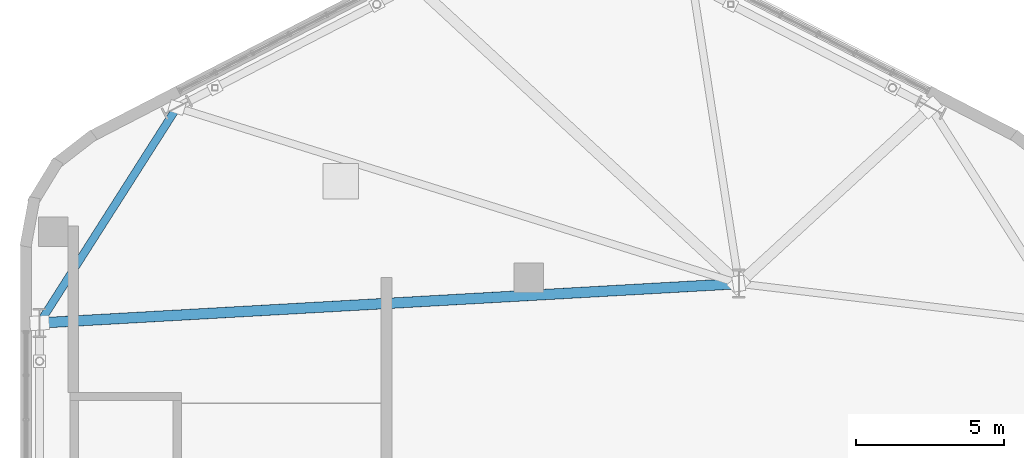
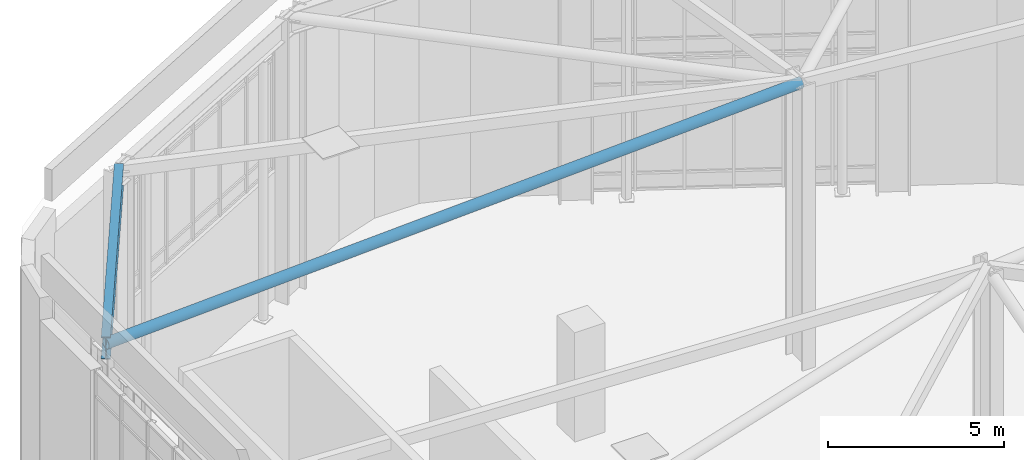
# One storey, part 9 of 23: 1 beam, 1 member.
"""IFC4 building model written with IfcOpenShell, lengths in metres."""

from ifc_helpers import new_model, si_unit, direction, frame, origin, origin_2d, place, context, subcontext, project, spatial, hollow_circle, i_section, extrude, material, material_profile, profile_set, type_object, element, save


model = new_model("IFC4")

# Units and contexts
model_context = context("Model", 3, precision=1e-05, world=origin(), true_north=direction((0.0, 1.0)))
body_context = subcontext(model_context, "Body", "Model", "MODEL_VIEW")
ifc_project = project(units=[si_unit("LENGTHUNIT", "METRE"), si_unit("AREAUNIT", "SQUARE_METRE"), si_unit("VOLUMEUNIT", "CUBIC_METRE"), si_unit("PLANEANGLEUNIT", "RADIAN"), si_unit("MASSUNIT", "GRAM", prefix="KILO"), si_unit("THERMODYNAMICTEMPERATUREUNIT", "KELVIN"), si_unit("POWERUNIT", "WATT")], contexts=[model_context])

# Site, building, storey
site_placement = place(None, origin())
site = spatial("IfcSite", under=ifc_project, at=site_placement, CompositionType="ELEMENT")
building_placement = place(site_placement, origin())
building = spatial("IfcBuilding", under=site, at=building_placement, Name="Skarre Station Tower", CompositionType="ELEMENT")
storey_placement = place(building_placement, frame((0.0, 0.0, 291.300048828125)))
storey = spatial("IfcBuildingStorey", under=building, at=storey_placement, Name="RF", CompositionType="ELEMENT", Elevation=291.300048828125)

# Beam
ifc_material_1 = material(Name="Steel ASTM A992 Grade 50", Category="steel")
ifc_material_profile_1 = material_profile(ifc_material_1, i_section(OverallWidth=0.26806640625, OverallDepth=0.77001953125, WebThickness=0.01611328125, FlangeThickness=0.02490234375, at=origin_2d()), Name="Steel ASTM A992 Grade 50")
ifc_profile_set_1 = profile_set([ifc_material_profile_1], Name="Steel ASTM A992 Grade 50")
beam_type = type_object("IfcBeamType", Name="Steel Beam W30X132", PredefinedType="BEAM", material=ifc_profile_set_1)
beam_placement = place(storey_placement, frame((20.472900390625, 35.298095703125, 9.494873046875), z_axis=(-0.537296523663, -0.843393410965, 0.0), x_axis=(0.843393410965, -0.537296523663, 0.0)))
element("IfcBeam", 1, at=beam_placement, inside=storey, type_object=beam_type, Name="RF Crown Lantern Cap Ring Beam 4", PredefinedType="BEAM", context=body_context, shape_type="SweptSolid", body=[
    extrude(i_section(OverallWidth=0.26806640625, OverallDepth=0.77001953125, WebThickness=0.01611328125, FlangeThickness=0.02490234375, at=origin_2d()), origin(), (0.0, 0.0, 1.0), 8.62841796875),
])

# Member
ifc_material_2 = material(Name="Steel ASTM A500 Grade C", Category="steel")
ifc_material_profile_2 = material_profile(ifc_material_2, hollow_circle(Radius=0.177978515625, WallThickness=0.01611328125, at=origin_2d()), Name="Steel ASTM A500 Grade C")
ifc_profile_set_2 = profile_set([ifc_material_profile_2], Name="Steel ASTM A500 Grade C")
member_type = type_object("IfcMemberType", Name="Steel Truss Brace CHS356X16", PredefinedType="BRACE", material=ifc_profile_set_2)
member_placement = place(storey_placement, frame((15.8369140625, 28.02099609375, 9.659912109375), z_axis=(0.998419653974, 0.056197816316, 0.0), x_axis=(-0.056197816316, 0.998419653974, 0.0)))
element("IfcMember", 2, at=member_placement, inside=storey, type_object=member_type, Name="RF Crown Roof Diaphragm Brace 5", PredefinedType="BRACE", context=body_context, shape_type="SweptSolid", body=[
    extrude(hollow_circle(Radius=0.177978515625, WallThickness=0.01611328125, at=origin_2d()), origin(), (0.0, 0.0, 1.0), 23.650390625),
])

save(model, "model.ifc")
